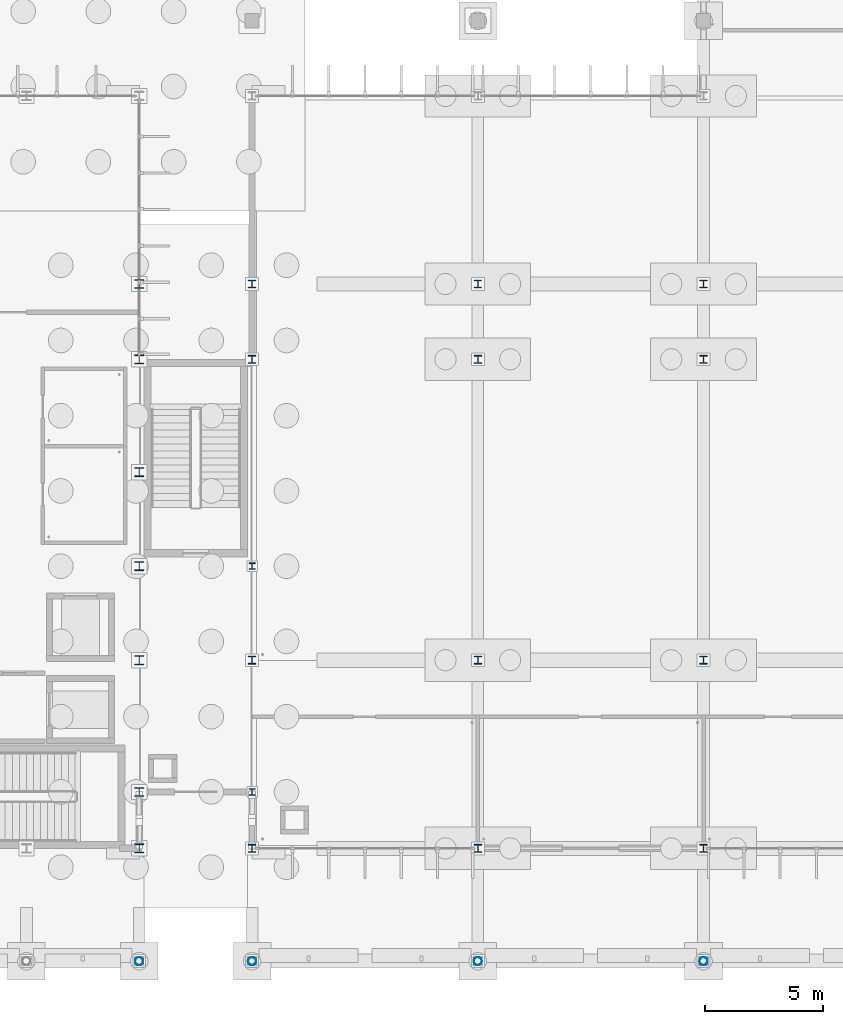
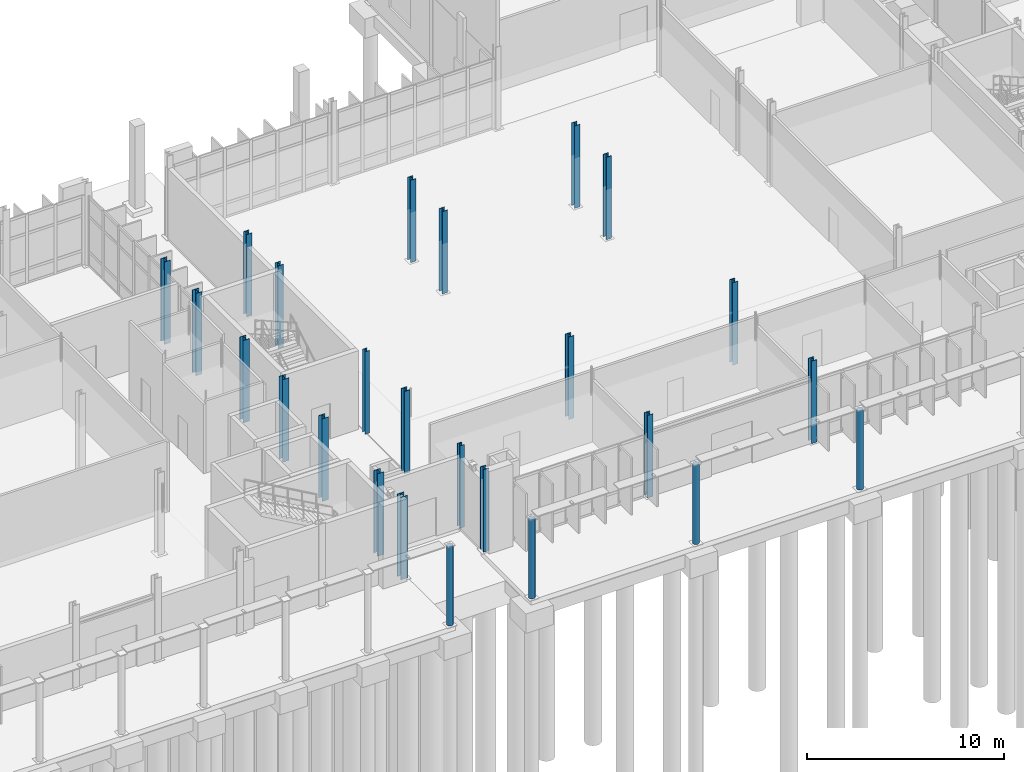
# One storey, part 7 of 111: 25 columns.
"""IFC4 building model written with IfcOpenShell, lengths in metres."""

from ifc_helpers import new_model, si_unit, direction, frame, origin, origin_2d, place, context, subcontext, project, spatial, hollow_circle, i_section, extrude, material, material_profile, profile_set, type_object, element, save


model = new_model("IFC4")

# Units and contexts
model_context = context("Model", 3, precision=1e-05, world=origin(), true_north=direction((0.0, 1.0)))
body_context = subcontext(model_context, "Body", "Model", "MODEL_VIEW")
ifc_project = project(units=[si_unit("LENGTHUNIT", "METRE"), si_unit("AREAUNIT", "SQUARE_METRE"), si_unit("VOLUMEUNIT", "CUBIC_METRE"), si_unit("PLANEANGLEUNIT", "RADIAN"), si_unit("MASSUNIT", "GRAM", prefix="KILO")], contexts=[model_context])

# Site, building, storey
site_placement = place(None, origin())
site = spatial("IfcSite", under=ifc_project, at=site_placement, CompositionType="ELEMENT")
building_placement = place(site_placement, origin())
building = spatial("IfcBuilding", under=site, at=building_placement, Name="Dunescarp Central Library", CompositionType="ELEMENT")
storey_placement = place(building_placement, origin())
storey = spatial("IfcBuildingStorey", under=building, at=storey_placement, Name="L00", CompositionType="ELEMENT", Elevation=0.0)

# Columns
ifc_material_1 = material(Name="Steel S355J0", Category="steel")
ifc_material_profile_1 = material_profile(ifc_material_1, hollow_circle(Radius=0.177734375, WallThickness=0.012451171875, at=origin_2d()), Name="CHS 355.6x12.5")
ifc_profile_set_1 = profile_set([ifc_material_profile_1], Name="Steel S355J0")
column_type_1 = type_object("IfcColumnType", Name="STR-COL-CHS355", PredefinedType="COLUMN", material=ifc_profile_set_1)
for number, where, z_axis, x_axis, name in (
    (1, (33.60009765625, 0.0, 0.0), (0.0, 0.0, 1.0), (1.0, 0.0, 0.0), "L00 column COLS-336"),
    (2, (38.39990234375, 0.0, 0.0), (0.0, 0.0, 1.0), (1.0, 0.0, 0.0), "L00 column COLS-384"),
    (3, (48.0, 0.0, 0.0), (0.0, 0.0, 1.0), (1.0, 0.0, 0.0), "L00 column COLS-480"),
    (4, (57.60009765625, 0.0, 0.0), (0.0, 0.0, 1.0), (1.0, 0.0, 0.0), "L00 column COLS-576"),
):
    element("IfcColumn", number, at=place(storey_placement, frame(where, z_axis=z_axis, x_axis=x_axis)), inside=storey, type_object=column_type_1, Name=name, PredefinedType="COLUMN", context=body_context, shape_type="SweptSolid", body=[
        extrude(hollow_circle(Radius=0.177734375, WallThickness=0.012451171875, at=origin_2d()), origin(), (0.0, 0.0, 1.0), 4.909912109375),
    ])
ifc_material_2 = material(Name="Steel S355JR", Category="steel")
ifc_material_profile_2 = material_profile(ifc_material_2, i_section(OverallWidth=0.26123046875, OverallDepth=0.2763671875, WebThickness=0.015380859375, FlangeThickness=0.025390625, at=origin_2d()), Name="UC 254x254x132")
ifc_profile_set_2 = profile_set([ifc_material_profile_2], Name="Steel S355JR")
column_type_2 = type_object("IfcColumnType", Name="STR-COL-UC254X132", PredefinedType="COLUMN", material=ifc_profile_set_2)
for number, where, z_axis, x_axis, name in (
    (5, (38.39990234375, 7.199951171875, 0.0), (0.0, 0.0, 1.0), (1.0, 0.0, 0.0), "L00 column V2L-384-72"),
    (6, (38.39990234375, 16.800048828125, 0.0), (0.0, 0.0, 1.0), (1.0, 0.0, 0.0), "L00 column V2L-384-168"),
):
    element("IfcColumn", number, at=place(storey_placement, frame(where, z_axis=z_axis, x_axis=x_axis)), inside=storey, type_object=column_type_2, Name=name, PredefinedType="COLUMN", context=body_context, shape_type="SweptSolid", body=[
        extrude(i_section(OverallWidth=0.26123046875, OverallDepth=0.2763671875, WebThickness=0.015380859375, FlangeThickness=0.025390625, at=origin_2d()), origin(), (0.0, 0.0, 1.0), 5.10009765625),
    ])
ifc_material_profile_3 = material_profile(ifc_material_2, i_section(OverallWidth=0.311279296875, OverallDepth=0.3271484375, WebThickness=0.015869140625, FlangeThickness=0.02490234375, at=origin_2d()), Name="UC 305x305x158")
ifc_profile_set_3 = profile_set([ifc_material_profile_3], Name="Steel S355JR")
column_type_3 = type_object("IfcColumnType", Name="STR-COL-UC305X158", PredefinedType="COLUMN", material=ifc_profile_set_3)
for number, where, z_axis, x_axis, name in (
    (7, (38.39990234375, 28.800048828125, 0.0), (0.0, 0.0, 1.0), (1.0, 0.0, 0.0), "L00 column V2N5-384"),
    (8, (48.0, 28.800048828125, 0.0), (0.0, 0.0, 1.0), (1.0, 0.0, 0.0), "L00 column V2N5-480"),
    (9, (57.60009765625, 28.800048828125, 0.0), (0.0, 0.0, 1.0), (1.0, 0.0, 0.0), "L00 column V2N5-576"),
):
    element("IfcColumn", number, at=place(storey_placement, frame(where, z_axis=z_axis, x_axis=x_axis)), inside=storey, type_object=column_type_3, Name=name, PredefinedType="COLUMN", context=body_context, shape_type="SweptSolid", body=[
        extrude(i_section(OverallWidth=0.311279296875, OverallDepth=0.3271484375, WebThickness=0.015869140625, FlangeThickness=0.02490234375, at=origin_2d()), origin(), (0.0, 0.0, 1.0), 5.10009765625),
    ])
ifc_material_profile_4 = material_profile(ifc_material_2, i_section(OverallWidth=0.314453125, OverallDepth=0.33984375, WebThickness=0.01904296875, FlangeThickness=0.031494140625, at=origin_2d()), Name="UC 305x305x198")
ifc_profile_set_4 = profile_set([ifc_material_profile_4], Name="Steel S355JR")
column_type_4 = type_object("IfcColumnType", Name="STR-COL-UC305X198", PredefinedType="COLUMN", material=ifc_profile_set_4)
for number, where, z_axis, x_axis, name in (
    (10, (38.39990234375, 4.800048828125, 0.0), (0.0, 0.0, 1.0), (1.0, 0.0, 0.0), "L00 column V2-384-48"),
    (11, (38.39990234375, 12.800048828125, 0.0), (0.0, 0.0, 1.0), (1.0, 0.0, 0.0), "L00 column V2-384-128"),
    (12, (38.39990234375, 25.60009765625, 0.0), (0.0, 0.0, 1.0), (1.0, 0.0, 0.0), "L00 column V2-384-256"),
    (13, (48.0, 4.800048828125, 0.0), (0.0, 0.0, 1.0), (1.0, 0.0, 0.0), "L00 column V2-480-48"),
    (14, (48.0, 12.800048828125, 0.0), (0.0, 0.0, 1.0), (1.0, 0.0, 0.0), "L00 column V2-480-128"),
    (15, (48.0, 25.60009765625, 0.0), (0.0, 0.0, 1.0), (1.0, 0.0, 0.0), "L00 column V2-480-256"),
    (16, (57.60009765625, 4.800048828125, 0.0), (0.0, 0.0, 1.0), (1.0, 0.0, 0.0), "L00 column V2-576-48"),
    (17, (57.60009765625, 12.800048828125, 0.0), (0.0, 0.0, 1.0), (1.0, 0.0, 0.0), "L00 column V2-576-128"),
    (18, (57.60009765625, 25.60009765625, 0.0), (0.0, 0.0, 1.0), (1.0, 0.0, 0.0), "L00 column V2-576-256"),
):
    element("IfcColumn", number, at=place(storey_placement, frame(where, z_axis=z_axis, x_axis=x_axis)), inside=storey, type_object=column_type_4, Name=name, PredefinedType="COLUMN", context=body_context, shape_type="SweptSolid", body=[
        extrude(i_section(OverallWidth=0.314453125, OverallDepth=0.33984375, WebThickness=0.01904296875, FlangeThickness=0.031494140625, at=origin_2d()), origin(), (0.0, 0.0, 1.0), 5.10009765625),
    ])
ifc_material_profile_5 = material_profile(ifc_material_2, i_section(OverallWidth=0.374755859375, OverallDepth=0.37451171875, WebThickness=0.0166015625, FlangeThickness=0.027099609375, at=origin_2d()), Name="UC 356x368x202")
ifc_profile_set_5 = profile_set([ifc_material_profile_5], Name="Steel S355JR")
column_type_5 = type_object("IfcColumnType", Name="STR-COL-UC356X202", PredefinedType="COLUMN", material=ifc_profile_set_5)
for number, where, z_axis, x_axis, name in (
    (19, (33.60009765625, 7.199951171875, 0.0), (0.0, 0.0, 1.0), (1.0, 0.0, 0.0), "L00 column V1P-336-72"),
    (20, (33.60009765625, 12.800048828125, 0.0), (0.0, 0.0, 1.0), (1.0, 0.0, 0.0), "L00 column V1P-336-128"),
    (21, (33.60009765625, 16.800048828125, 0.0), (0.0, 0.0, 1.0), (1.0, 0.0, 0.0), "L00 column V1P-336-168"),
    (22, (33.60009765625, 20.800048828125, 0.0), (0.0, 0.0, 1.0), (1.0, 0.0, 0.0), "L00 column V1P-336-208"),
    (23, (33.60009765625, 25.60009765625, 0.0), (0.0, 0.0, 1.0), (1.0, 0.0, 0.0), "L00 column V1P-336-256"),
    (24, (33.60009765625, 28.800048828125, 0.0), (0.0, 0.0, 1.0), (1.0, 0.0, 0.0), "L00 column V1P-336-288"),
):
    element("IfcColumn", number, at=place(storey_placement, frame(where, z_axis=z_axis, x_axis=x_axis)), inside=storey, type_object=column_type_5, Name=name, PredefinedType="COLUMN", context=body_context, shape_type="SweptSolid", body=[
        extrude(i_section(OverallWidth=0.374755859375, OverallDepth=0.37451171875, WebThickness=0.0166015625, FlangeThickness=0.027099609375, at=origin_2d()), origin(), (0.0, 0.0, 1.0), 5.10009765625),
    ])
ifc_material_profile_6 = material_profile(ifc_material_2, i_section(OverallWidth=0.394775390625, OverallDepth=0.381103515625, WebThickness=0.018310546875, FlangeThickness=0.0302734375, at=origin_2d()), Name="UC 356x406x235")
ifc_profile_set_6 = profile_set([ifc_material_profile_6], Name="Steel S355JR")
column_type_6 = type_object("IfcColumnType", Name="STR-COL-UC356X235", PredefinedType="COLUMN", material=ifc_profile_set_6)
column_placement = place(storey_placement, frame((33.60009765625, 4.800048828125, 0.0), z_axis=(0.0, 0.0, 1.0), x_axis=(1.0, 0.0, 0.0)))
element("IfcColumn", 25, at=column_placement, inside=storey, type_object=column_type_6, Name="L00 column V1P-336-48", PredefinedType="COLUMN", context=body_context, shape_type="SweptSolid", body=[
    extrude(i_section(OverallWidth=0.394775390625, OverallDepth=0.381103515625, WebThickness=0.018310546875, FlangeThickness=0.0302734375, at=origin_2d()), origin(), (0.0, 0.0, 1.0), 5.10009765625),
])

save(model, "model.ifc")
